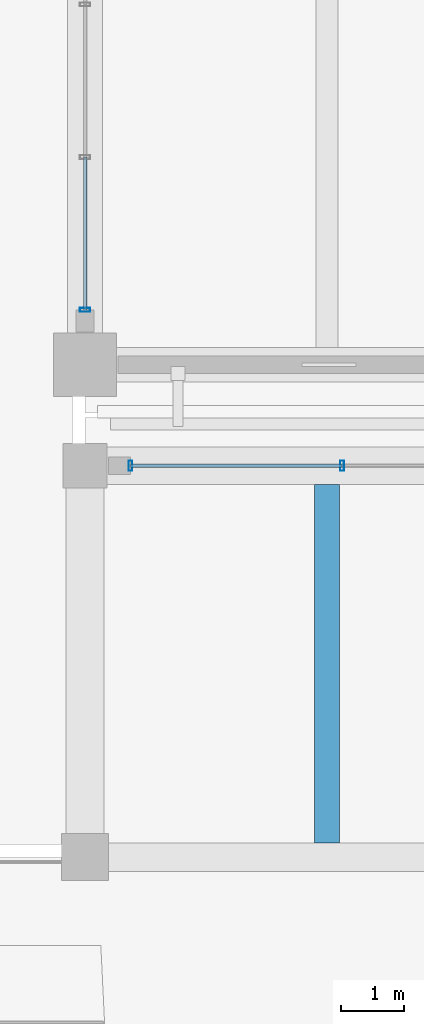
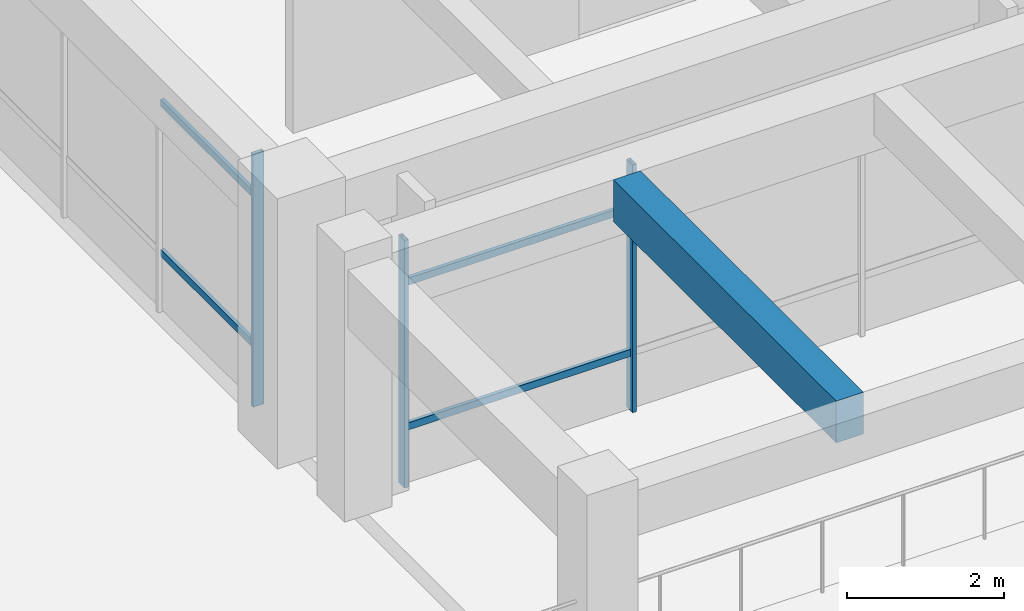
# One storey, part 40 of 109: 7 members, 1 beam, 2 elements without a shape of their own.
"""IFC4 building model written with IfcOpenShell, lengths in metres."""

from ifc_helpers import new_model, si_unit, direction, frame, origin, origin_2d, place, context, subcontext, project, spatial, rectangle, hollow_rectangle, extrude, material, material_profile, profile_set, type_object, element, aggregate, save


model = new_model("IFC4")

# Units and contexts
model_context = context("Model", 3, precision=1e-05, world=origin(), true_north=direction((0.0, 1.0)))
body_context = subcontext(model_context, "Body", "Model", "MODEL_VIEW")
ifc_project = project(units=[si_unit("LENGTHUNIT", "METRE"), si_unit("AREAUNIT", "SQUARE_METRE"), si_unit("VOLUMEUNIT", "CUBIC_METRE"), si_unit("PLANEANGLEUNIT", "RADIAN"), si_unit("MASSUNIT", "GRAM", prefix="KILO")], contexts=[model_context])

# Site, building, storey
site_placement = place(None, origin())
site = spatial("IfcSite", under=ifc_project, at=site_placement, CompositionType="ELEMENT")
building_placement = place(site_placement, origin())
building = spatial("IfcBuilding", under=site, at=building_placement, Name="Ologun Quay Terminus", CompositionType="ELEMENT")
storey_placement = place(building_placement, origin())
storey = spatial("IfcBuildingStorey", under=building, at=storey_placement, Name="L00", CompositionType="ELEMENT", Elevation=0.0)

# Curtain wall, members
ifc_material_1 = material(Name="Aluminium 6063-T6", Category="aluminium")
curtain_wall_type_1 = type_object("IfcCurtainWallType", Name="Ticket Hall Grand Portal Curtain Wall 10700x7700", PredefinedType="USERDEFINED", material=ifc_material_1)
curtain_wall_1_placement = place(storey_placement, origin())
curtain_wall_1 = element("IfcCurtainWall", 1, at=curtain_wall_1_placement, inside=storey, type_object=curtain_wall_type_1, Name="CW-01 Curtain Wall CW-L00-086", ObjectType="UNITISED CURTAIN WALL", PredefinedType="USERDEFINED")
ifc_material_2 = material(Name="Aluminium 6063-T6", Category="aluminium")
ifc_material_profile_1 = material_profile(ifc_material_2, hollow_rectangle(XDim=0.06005859375, YDim=0.159912109375, WallThickness=0.00390625, at=origin_2d()), Name="ALU 160x60x4")
ifc_profile_set_1 = profile_set([ifc_material_profile_1], Name="Aluminium 6063-T6")
member_type_1 = type_object("IfcMemberType", Name="Courtyard Screen Mullion 160x65", PredefinedType="MULLION", material=ifc_profile_set_1)
member_1_placement = place(storey_placement, frame((115.719970703125, 84.199951171875, 0.0), z_axis=(0.0, 0.0, 1.0), x_axis=(1.0, 0.0, 0.0)))
member_1 = element("IfcMember", 2, at=member_1_placement, type_object=member_type_1, Name="CW-L00-086 Mullion 1", PredefinedType="MULLION", context=body_context, shape_type="SweptSolid", body=[
    extrude(hollow_rectangle(XDim=0.06005859375, YDim=0.159912109375, WallThickness=0.00390625, at=origin_2d()), origin(), (0.0, 0.0, 1.0), 3.85009765625),
])
member_2_placement = place(storey_placement, frame((119.0732421875, 84.199951171875, 0.0), z_axis=(0.0, 0.0, 1.0), x_axis=(1.0, 0.0, 0.0)))
member_2 = element("IfcMember", 3, at=member_2_placement, type_object=member_type_1, Name="CW-L00-086 Mullion 2", PredefinedType="MULLION", context=body_context, shape_type="SweptSolid", body=[
    extrude(hollow_rectangle(XDim=0.06005859375, YDim=0.159912109375, WallThickness=0.00390625, at=origin_2d()), origin(), (0.0, 0.0, 1.0), 3.85009765625),
])

# Curtain wall, member
ifc_material_3 = material(Name="Aluminium 6063-T6", Category="aluminium")
curtain_wall_type_2 = type_object("IfcCurtainWallType", Name="Rain-Garden East Courtyard Curtain Wall L00 9200x3750", PredefinedType="USERDEFINED", material=ifc_material_3)
curtain_wall_2_placement = place(storey_placement, origin())
curtain_wall_2 = element("IfcCurtainWall", 4, at=curtain_wall_2_placement, inside=storey, type_object=curtain_wall_type_2, Name="CW-17 Curtain Wall CW-L00-122", ObjectType="UNITISED CURTAIN WALL", PredefinedType="USERDEFINED")
member_3_placement = place(storey_placement, frame((115.0, 86.669921875, 0.0), z_axis=(0.0, 0.0, 1.0), x_axis=(0.0, 1.0, 0.0)))
member_3 = element("IfcMember", 5, at=member_3_placement, type_object=member_type_1, Name="CW-L00-122 Mullion 1", PredefinedType="MULLION", context=body_context, shape_type="SweptSolid", body=[
    extrude(hollow_rectangle(XDim=0.06005859375, YDim=0.159912109375, WallThickness=0.00390625, at=origin_2d()), origin(), (0.0, 0.0, 1.0), 3.929931640625),
])

# Member
ifc_material_4 = material(Name="Aluminium 6063-T6", Category="aluminium")
ifc_material_profile_2 = material_profile(ifc_material_4, hollow_rectangle(XDim=0.054931640625, YDim=0.110107421875, WallThickness=0.00390625, at=origin_2d()), Name="ALU 110x55x4")
ifc_profile_set_2 = profile_set([ifc_material_profile_2], Name="Aluminium 6063-T6")
member_type_2 = type_object("IfcMemberType", Name="Courtyard Screen Transom 110x55", PredefinedType="USERDEFINED", material=ifc_profile_set_2)
member_4_placement = place(storey_placement, frame((115.719970703125, 84.199951171875, 0.89990234375), z_axis=(1.0, 0.0, 0.0), x_axis=(0.0, 1.0, 0.0)))
member_4 = element("IfcMember", 6, at=member_4_placement, type_object=member_type_2, Name="CW-L00-086 Transom B1-1", ObjectType="TRANSOM", PredefinedType="USERDEFINED", context=body_context, shape_type="SweptSolid", body=[
    extrude(hollow_rectangle(XDim=0.054931640625, YDim=0.110107421875, WallThickness=0.00390625, at=origin_2d()), origin(), (0.0, 0.0, 1.0), 3.353271484375),
])

member_5_placement = place(storey_placement, frame((115.719970703125, 84.199951171875, 3.14990234375), z_axis=(1.0, 0.0, 0.0), x_axis=(0.0, 1.0, 0.0)))
member_5 = element("IfcMember", 7, at=member_5_placement, type_object=member_type_2, Name="CW-L00-086 Transom B1-2", ObjectType="TRANSOM", PredefinedType="USERDEFINED", context=body_context, shape_type="SweptSolid", body=[
    extrude(hollow_rectangle(XDim=0.054931640625, YDim=0.110107421875, WallThickness=0.00390625, at=origin_2d()), origin(), (0.0, 0.0, 1.0), 3.353271484375),
])

aggregate(curtain_wall_1, [member_1, member_2, member_4, member_5])

member_6_placement = place(storey_placement, frame((115.0, 86.669921875, 0.89990234375), z_axis=(0.0, 1.0, 0.0), x_axis=(-1.0, 0.0, 0.0)))
member_6 = element("IfcMember", 8, at=member_6_placement, type_object=member_type_2, Name="CW-L00-122 Transom B1-1", ObjectType="TRANSOM", PredefinedType="USERDEFINED", context=body_context, shape_type="SweptSolid", body=[
    extrude(hollow_rectangle(XDim=0.054931640625, YDim=0.110107421875, WallThickness=0.00390625, at=origin_2d()), origin(), (0.0, 0.0, 1.0), 2.420166015625),
])

member_7_placement = place(storey_placement, frame((115.0, 86.669921875, 3.22998046875), z_axis=(0.0, 1.0, 0.0), x_axis=(-1.0, 0.0, 0.0)))
member_7 = element("IfcMember", 9, at=member_7_placement, type_object=member_type_2, Name="CW-L00-122 Transom B1-2", ObjectType="TRANSOM", PredefinedType="USERDEFINED", context=body_context, shape_type="SweptSolid", body=[
    extrude(hollow_rectangle(XDim=0.054931640625, YDim=0.110107421875, WallThickness=0.00390625, at=origin_2d()), origin(), (0.0, 0.0, 1.0), 2.420166015625),
])

aggregate(curtain_wall_2, [member_3, member_6, member_7])

# Beam
ifc_material_5 = material(Name="Concrete C40/50", Category="concrete")
ifc_material_profile_3 = material_profile(ifc_material_5, rectangle(XDim=0.39990234375, YDim=0.64990234375, at=origin_2d()), Name="RC 400x650")
ifc_profile_set_3 = profile_set([ifc_material_profile_3], Name="Concrete C40/50")
beam_type = type_object("IfcBeamType", Name="Station Secondary Joist 400x650", PredefinedType="JOIST", material=ifc_profile_set_3)
beam_placement = place(storey_placement, frame((118.833251953125, 78.22509765625, 3.574951171875), z_axis=(0.0, 1.0, 0.0), x_axis=(-1.0, 0.0, 0.0)))
element("IfcBeam", 10, at=beam_placement, inside=storey, type_object=beam_type, Name="J1 Beam 11/F L00", PredefinedType="JOIST", context=body_context, shape_type="SweptSolid", body=[
    extrude(rectangle(XDim=0.39990234375, YDim=0.64990234375, at=origin_2d()), origin(), (0.0, 0.0, 1.0), 5.6748046875),
])

save(model, "model.ifc")
